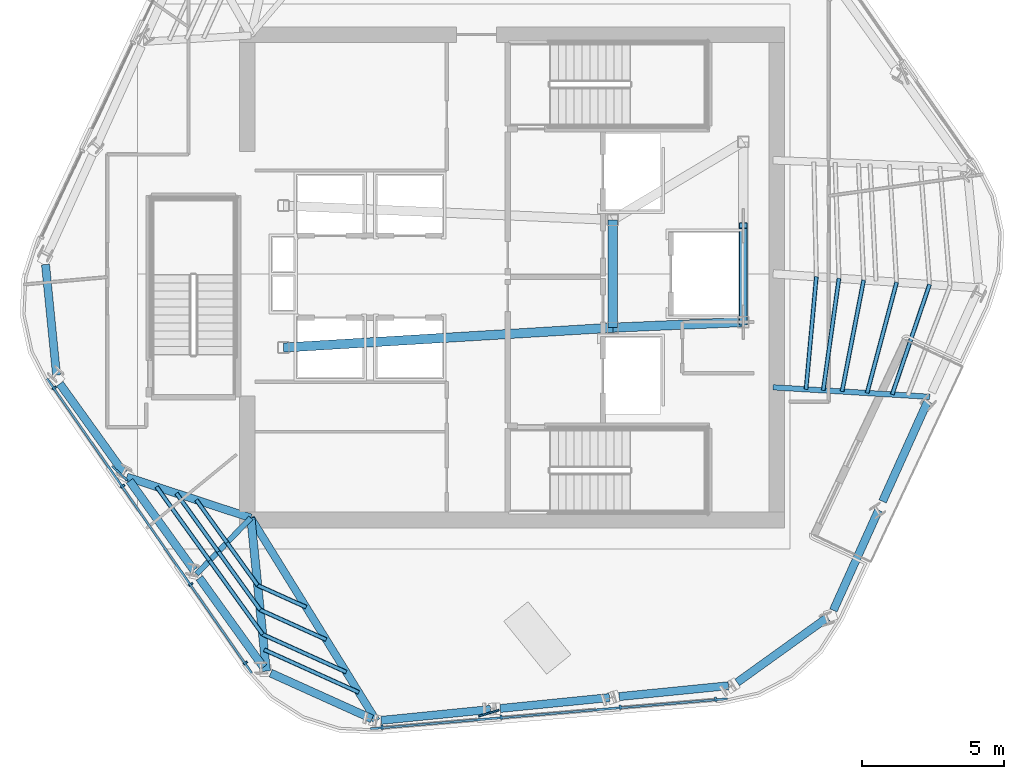
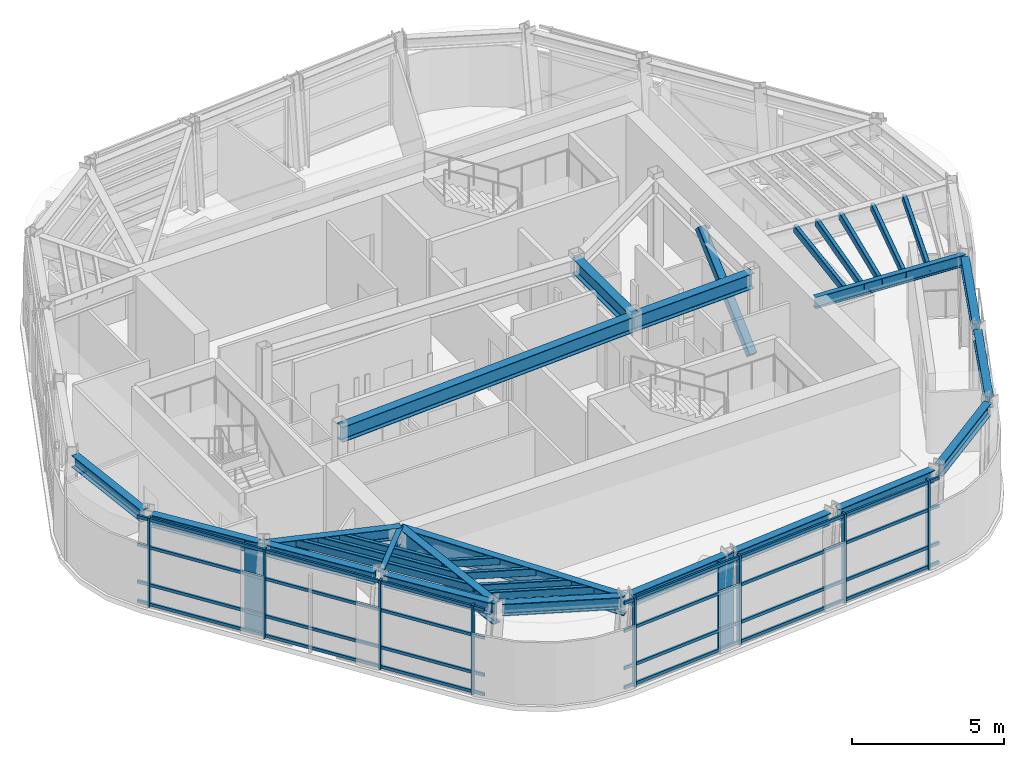
# One storey, part 2 of 14: 34 members, 19 beams, 2 elements without a shape of their own.
"""IFC4 building model written with IfcOpenShell, lengths in metres."""

from ifc_helpers import new_model, si_unit, direction, frame, origin, origin_2d, place, context, subcontext, project, spatial, rectangle, hollow_rectangle, i_section, extrude, material, layer, layer_set, material_profile, profile_set, type_object, element, aggregate, save


model = new_model("IFC4")

# Units and contexts
model_context = context("Model", 3, precision=1e-05, world=origin(), true_north=direction((0.0, 1.0)))
body_context = subcontext(model_context, "Body", "Model", "MODEL_VIEW")
ifc_project = project(units=[si_unit("LENGTHUNIT", "METRE"), si_unit("AREAUNIT", "SQUARE_METRE"), si_unit("VOLUMEUNIT", "CUBIC_METRE"), si_unit("PLANEANGLEUNIT", "RADIAN"), si_unit("MASSUNIT", "GRAM", prefix="KILO")], contexts=[model_context])

# Site, building, storey
site_placement = place(None, origin())
site = spatial("IfcSite", under=ifc_project, at=site_placement, CompositionType="ELEMENT")
building_placement = place(site_placement, origin())
building = spatial("IfcBuilding", under=site, at=building_placement, Name="Valkerne Bourse Tower", CompositionType="ELEMENT")
storey_placement = place(building_placement, frame((0.0, 0.0, 304.0)))
storey = spatial("IfcBuildingStorey", under=building, at=storey_placement, Name="L77", CompositionType="ELEMENT", Elevation=304.0)

# Beams
ifc_material_1 = material(Name="Steel ASTM A992", Category="steel")
ifc_material_profile_1 = material_profile(ifc_material_1, i_section(OverallWidth=0.284423828125, OverallDepth=0.47509765625, WebThickness=0.014892578125, FlangeThickness=0.02392578125, FilletRadius=0.017822265625, at=origin_2d()), Name="W18X106")
ifc_profile_set_1 = profile_set([ifc_material_profile_1], Name="Steel ASTM A992")
beam_type_1 = type_object("IfcBeamType", Name="BM-W18X106", PredefinedType="BEAM", material=ifc_profile_set_1)
beam_1_placement = place(storey_placement, frame((30.36474609375, 27.3271484375, 3.362548828125), z_axis=(0.099324690602, -0.995055076786, 0.0), x_axis=(0.995055076786, 0.099324690602, 0.0)))
element("IfcBeam", 1, at=beam_1_placement, inside=storey, type_object=beam_type_1, Name="L77 Hexagonal Spandrel Ring Beam 07", PredefinedType="BEAM", context=body_context, shape_type="SweptSolid", body=[
    extrude(i_section(OverallWidth=0.284423828125, OverallDepth=0.47509765625, WebThickness=0.014892578125, FlangeThickness=0.02392578125, FilletRadius=0.017822265625, at=origin_2d()), origin(), (0.0, 0.0, 1.0), 3.91552734375),
])
for number, where, z_axis, x_axis, name in (
    (2, (30.86962890625, 23.12353515625, 3.362548828125), (0.583561989094, -0.812068596169, 0.0), (0.812068596169, 0.583561989094, 0.0), "L77 Hexagonal Spandrel Ring Beam 08"),
    (3, (33.32763671875, 19.703125, 3.362548828125), (0.583561989094, -0.812068596169, 0.0), (0.812068596169, 0.583561989094, 0.0), "L77 Hexagonal Spandrel Ring Beam 09"),
):
    element("IfcBeam", number, at=place(storey_placement, frame(where, z_axis=z_axis, x_axis=x_axis)), inside=storey, type_object=beam_type_1, Name=name, PredefinedType="BEAM", context=body_context, shape_type="SweptSolid", body=[
        extrude(i_section(OverallWidth=0.284423828125, OverallDepth=0.47509765625, WebThickness=0.014892578125, FlangeThickness=0.02392578125, FilletRadius=0.017822265625, at=origin_2d()), origin(), (0.0, 0.0, 1.0), 3.871826171875),
    ])
beam_2_placement = place(storey_placement, frame((35.785400390625, 16.28271484375, 3.362548828125), z_axis=(0.583532109562, -0.812090067117, 0.0), x_axis=(0.812090067117, 0.583532109562, 0.0)))
element("IfcBeam", 4, at=beam_2_placement, inside=storey, type_object=beam_type_1, Name="L77 Hexagonal Spandrel Ring Beam 10", PredefinedType="BEAM", context=body_context, shape_type="SweptSolid", body=[
    extrude(i_section(OverallWidth=0.284423828125, OverallDepth=0.47509765625, WebThickness=0.014892578125, FlangeThickness=0.02392578125, FilletRadius=0.017822265625, at=origin_2d()), origin(), (0.0, 0.0, 1.0), 3.8720703125),
])
beam_3_placement = place(storey_placement, frame((38.299072265625, 12.93017578125, 3.362548828125), z_axis=(0.911409826012, -0.411499853036, 0.0), x_axis=(0.411499853036, 0.911409826012, 0.0)))
element("IfcBeam", 5, at=beam_3_placement, inside=storey, type_object=beam_type_1, Name="L77 Hexagonal Spandrel Ring Beam 11", PredefinedType="BEAM", context=body_context, shape_type="SweptSolid", body=[
    extrude(i_section(OverallWidth=0.284423828125, OverallDepth=0.47509765625, WebThickness=0.014892578125, FlangeThickness=0.02392578125, FilletRadius=0.017822265625, at=origin_2d()), origin(), (0.0, 0.0, 1.0), 3.915771484375),
])
for number, where, z_axis, x_axis, name in (
    (6, (42.19189453125, 11.265869140625, 3.362548828125), (0.995056524623, 0.099310184797, 0.0), (-0.099310184797, 0.995056524623, 0.0), "L77 Hexagonal Spandrel Ring Beam 12"),
    (7, (46.383056640625, 11.68408203125, 3.362548828125), (0.995056524623, 0.099310184797, 0.0), (-0.099310184797, 0.995056524623, 0.0), "L77 Hexagonal Spandrel Ring Beam 13"),
    (8, (50.57421875, 12.1025390625, 3.362548828125), (0.995056524623, 0.099310184797, 0.0), (-0.099310184797, 0.995056524623, 0.0), "L77 Hexagonal Spandrel Ring Beam 14"),
):
    element("IfcBeam", number, at=place(storey_placement, frame(where, z_axis=z_axis, x_axis=x_axis)), inside=storey, type_object=beam_type_1, Name=name, PredefinedType="BEAM", context=body_context, shape_type="SweptSolid", body=[
        extrude(i_section(OverallWidth=0.284423828125, OverallDepth=0.47509765625, WebThickness=0.014892578125, FlangeThickness=0.02392578125, FilletRadius=0.017822265625, at=origin_2d()), origin(), (0.0, 0.0, 1.0), 3.871826171875),
    ])
beam_4_placement = place(storey_placement, frame((54.734375, 12.60302734375, 3.362548828125), z_axis=(0.81204491925, 0.583594935825, 0.0), x_axis=(-0.583594935825, 0.81204491925, 0.0)))
element("IfcBeam", 9, at=beam_4_placement, inside=storey, type_object=beam_type_1, Name="L77 Hexagonal Spandrel Ring Beam 15", PredefinedType="BEAM", context=body_context, shape_type="SweptSolid", body=[
    extrude(i_section(OverallWidth=0.284423828125, OverallDepth=0.47509765625, WebThickness=0.014892578125, FlangeThickness=0.02392578125, FilletRadius=0.017822265625, at=origin_2d()), origin(), (0.0, 0.0, 1.0), 3.915771484375),
])
for number, where, z_axis, x_axis, name in (
    (10, (58.122314453125, 15.14208984375, 3.362548828125), (0.411478598919, 0.911419421908, 0.0), (-0.911419421908, 0.411478598919, 0.0), "L77 Hexagonal Spandrel Ring Beam 16"),
    (11, (59.85546875, 18.98095703125, 3.362548828125), (0.411478598919, 0.911419421908, 0.0), (-0.911419421908, 0.411478598919, 0.0), "L77 Hexagonal Spandrel Ring Beam 17"),
):
    element("IfcBeam", number, at=place(storey_placement, frame(where, z_axis=z_axis, x_axis=x_axis)), inside=storey, type_object=beam_type_1, Name=name, PredefinedType="BEAM", context=body_context, shape_type="SweptSolid", body=[
        extrude(i_section(OverallWidth=0.284423828125, OverallDepth=0.47509765625, WebThickness=0.014892578125, FlangeThickness=0.02392578125, FilletRadius=0.017822265625, at=origin_2d()), origin(), (0.0, 0.0, 1.0), 3.8720703125),
    ])
ifc_material_profile_2 = material_profile(ifc_material_1, i_section(OverallWidth=0.1904296875, OverallDepth=0.457275390625, WebThickness=0.009033203125, FlangeThickness=0.014404296875, FilletRadius=0.01513671875, at=origin_2d()), Name="W18X50")
ifc_profile_set_2 = profile_set([ifc_material_profile_2], Name="Steel ASTM A992")
beam_type_2 = type_object("IfcBeamType", Name="BM-W18X50", PredefinedType="JOIST", material=ifc_profile_set_2)
beam_5_placement = place(storey_placement, frame((35.686279296875, 16.420654296875, 3.371337890625), z_axis=(0.695124466047, 0.718889405057, 0.0), x_axis=(-0.718889405057, 0.695124466047, 0.0)))
element("IfcBeam", 12, at=beam_5_placement, inside=storey, type_object=beam_type_2, Name="L77 Radial Composite Floor Beam 10", PredefinedType="JOIST", context=body_context, shape_type="SweptSolid", body=[
    extrude(i_section(OverallWidth=0.1904296875, OverallDepth=0.457275390625, WebThickness=0.009033203125, FlangeThickness=0.014404296875, FilletRadius=0.01513671875, at=origin_2d()), origin(), (0.0, 0.0, 1.0), 2.753173828125),
])
beam_6_placement = place(storey_placement, frame((61.518798828125, 22.664794921875, 3.371337890625), z_axis=(-0.998160488809, 0.060627044952, 0.0), x_axis=(-0.060627044952, -0.998160488809, 0.0)))
element("IfcBeam", 13, at=beam_6_placement, inside=storey, type_object=beam_type_2, Name="L77 Radial Composite Floor Beam 18", PredefinedType="JOIST", context=body_context, shape_type="SweptSolid", body=[
    extrude(i_section(OverallWidth=0.1904296875, OverallDepth=0.457275390625, WebThickness=0.009033203125, FlangeThickness=0.014404296875, FilletRadius=0.01513671875, at=origin_2d()), origin(), (0.0, 0.0, 1.0), 5.529052734375),
])
ifc_material_profile_3 = material_profile(ifc_material_1, i_section(OverallWidth=0.279296875, OverallDepth=0.46240234375, WebThickness=0.0107421875, FlangeThickness=0.017333984375, FilletRadius=0.017822265625, at=origin_2d()), Name="W18X76")
ifc_profile_set_3 = profile_set([ifc_material_profile_3], Name="Steel ASTM A992")
beam_type_3 = type_object("IfcBeamType", Name="BM-W18X76", PredefinedType="BEAM", material=ifc_profile_set_3)
beam_7_placement = place(storey_placement, frame((33.228515625, 19.84130859375, 3.368896484375), z_axis=(0.949707222762, -0.313139251825, 0.0), x_axis=(0.313139251825, 0.949707222762, 0.0)))
element("IfcBeam", 14, at=beam_7_placement, inside=storey, type_object=beam_type_3, Name="L77 Radial Composite Floor Beam 09", PredefinedType="BEAM", context=body_context, shape_type="SweptSolid", body=[
    extrude(i_section(OverallWidth=0.279296875, OverallDepth=0.46240234375, WebThickness=0.0107421875, FlangeThickness=0.017333984375, FilletRadius=0.017822265625, at=origin_2d()), origin(), (0.0, 0.0, 1.0), 4.60302734375),
])
ifc_material_profile_4 = material_profile(ifc_material_1, i_section(OverallWidth=0.3251953125, OverallDepth=0.612060546875, WebThickness=0.0126953125, FlangeThickness=0.01904296875, FilletRadius=0.020263671875, at=origin_2d()), Name="W24X104")
ifc_profile_set_4 = profile_set([ifc_material_profile_4], Name="Steel ASTM A992")
beam_type_4 = type_object("IfcBeamType", Name="BM-W24X104", PredefinedType="BEAM", material=ifc_profile_set_4)
beam_8_placement = place(storey_placement, frame((50.35009765625, 25.10009765625, 3.2939453125), z_axis=(0.0, 1.0, 0.0), x_axis=(-1.0, 0.0, 0.0)))
element("IfcBeam", 15, at=beam_8_placement, inside=storey, type_object=beam_type_4, Name="L77 Core Frame Girder CG-CE", PredefinedType="BEAM", context=body_context, shape_type="SweptSolid", body=[
    extrude(i_section(OverallWidth=0.3251953125, OverallDepth=0.612060546875, WebThickness=0.0126953125, FlangeThickness=0.01904296875, FilletRadius=0.020263671875, at=origin_2d()), origin(), (0.0, 0.0, 1.0), 3.7998046875),
])
beam_9_placement = place(storey_placement, frame((50.35009765625, 25.10009765625, 3.2939453125), z_axis=(0.999056558506, 0.043428019819, 0.0), x_axis=(-0.043428019819, 0.999056558506, 0.0)))
element("IfcBeam", 16, at=beam_9_placement, inside=storey, type_object=beam_type_4, Name="L77 Core Frame Girder CG-SE", PredefinedType="BEAM", context=body_context, shape_type="SweptSolid", body=[
    extrude(i_section(OverallWidth=0.3251953125, OverallDepth=0.612060546875, WebThickness=0.0126953125, FlangeThickness=0.01904296875, FilletRadius=0.020263671875, at=origin_2d()), origin(), (0.0, 0.0, 1.0), 4.604248046875),
])
beam_10_placement = place(storey_placement, frame((38.75, 24.39990234375, 3.2939453125), z_axis=(0.998183228389, 0.060251494276, 0.0), x_axis=(-0.060251494276, 0.998183228389, 0.0)))
element("IfcBeam", 17, at=beam_10_placement, inside=storey, type_object=beam_type_4, Name="L77 Core Frame Girder CG-SW", PredefinedType="BEAM", context=body_context, shape_type="SweptSolid", body=[
    extrude(i_section(OverallWidth=0.3251953125, OverallDepth=0.612060546875, WebThickness=0.0126953125, FlangeThickness=0.01904296875, FilletRadius=0.020263671875, at=origin_2d()), origin(), (0.0, 0.0, 1.0), 11.62109375),
])
ifc_material_profile_5 = material_profile(ifc_material_1, i_section(OverallWidth=0.26806640625, OverallDepth=0.76953125, WebThickness=0.015625, FlangeThickness=0.025390625, FilletRadius=0.025390625, at=origin_2d()), Name="W30X132")
ifc_profile_set_5 = profile_set([ifc_material_profile_5], Name="Steel ASTM A992")
beam_type_5 = type_object("IfcBeamType", Name="BM-W30X132", PredefinedType="BEAM", material=ifc_profile_set_5)
beam_11_placement = place(storey_placement, frame((42.022705078125, 11.248779296875, 3.215087890625), z_axis=(-0.525986712856, 0.85049278533, 0.0), x_axis=(-0.85049278533, -0.525986712856, 0.0)))
element("IfcBeam", 18, at=beam_11_placement, inside=storey, type_object=beam_type_5, Name="L77 Radial Composite Floor Beam 12", PredefinedType="BEAM", context=body_context, shape_type="SweptSolid", body=[
    extrude(i_section(OverallWidth=0.26806640625, OverallDepth=0.76953125, WebThickness=0.015625, FlangeThickness=0.025390625, FilletRadius=0.025390625, at=origin_2d()), origin(), (0.0, 0.0, 1.0), 8.408203125),
])
ifc_material_profile_6 = material_profile(ifc_material_1, i_section(OverallWidth=0.2919921875, OverallDepth=0.8583984375, WebThickness=0.01708984375, FlangeThickness=0.031005859375, FilletRadius=0.025390625, at=origin_2d()), Name="W33X169")
ifc_profile_set_6 = profile_set([ifc_material_profile_6], Name="Steel ASTM A992")
beam_type_6 = type_object("IfcBeamType", Name="BM-W33X169", PredefinedType="BEAM", material=ifc_profile_set_6)
beam_12_placement = place(storey_placement, frame((38.144287109375, 13.000244140625, 3.170654296875), z_axis=(-0.100274244927, 0.994959836277, 0.0), x_axis=(-0.994959836277, -0.100274244927, 0.0)))
element("IfcBeam", 19, at=beam_12_placement, inside=storey, type_object=beam_type_6, Name="L77 Radial Composite Floor Beam 11", PredefinedType="BEAM", context=body_context, shape_type="SweptSolid", body=[
    extrude(i_section(OverallWidth=0.2919921875, OverallDepth=0.8583984375, WebThickness=0.01708984375, FlangeThickness=0.031005859375, FilletRadius=0.025390625, at=origin_2d()), origin(), (0.0, 0.0, 1.0), 5.427001953125),
])

# Curtain wall, members
ifc_material_2 = material(Name="Aluminium AA 6063-T6", Category="aluminium")
ifc_layer = layer(ifc_material_2, 0.2451171875)
ifc_layer_set = layer_set([ifc_layer], Name="Aluminium AA 6063-T6")
curtain_wall_type = type_object("IfcCurtainWallType", Name="CW-05", PredefinedType="NOTDEFINED", material=ifc_layer_set)
curtain_wall_1_placement = place(storey_placement, origin())
curtain_wall_1 = element("IfcCurtainWall", 20, at=curtain_wall_1_placement, inside=storey, type_object=curtain_wall_type, Name="L77 Hexagonal Stick Curtain Wall Face 3", PredefinedType="NOTDEFINED")
ifc_material_profile_7 = material_profile(ifc_material_2, rectangle(XDim=0.074951171875, YDim=0.159912109375, at=origin_2d()), Name="CWM-75X160")
ifc_profile_set_7 = profile_set([ifc_material_profile_7], Name="Aluminium AA 6063-T6")
member_type_1 = type_object("IfcMemberType", Name="CW-MUL-160X75", PredefinedType="MULLION", material=ifc_profile_set_7)
member_1_placement = place(storey_placement, frame((30.67431640625, 22.97509765625, 0.0), z_axis=(0.0, 0.0, 1.0), x_axis=(0.57070410304, -0.821155787152, 0.0)))
member_1 = element("IfcMember", 21, at=member_1_placement, type_object=member_type_1, Name="CW-L77-F3 Jamb Mullion 00A", PredefinedType="MULLION", context=body_context, shape_type="SweptSolid", body=[
    extrude(rectangle(XDim=0.074951171875, YDim=0.159912109375, at=origin_2d()), origin(), (0.0, 0.0, 1.0), 3.60009765625),
])
member_2_placement = place(storey_placement, frame((33.078125, 19.516357421875, 0.0), z_axis=(0.0, 0.0, 1.0), x_axis=(0.57072011169, -0.821144660893, 0.0)))
member_2 = element("IfcMember", 22, at=member_2_placement, type_object=member_type_1, Name="CW-L77-F3 Jamb Mullion 01A", PredefinedType="MULLION", context=body_context, shape_type="SweptSolid", body=[
    extrude(rectangle(XDim=0.074951171875, YDim=0.159912109375, at=origin_2d()), origin(), (0.0, 0.0, 1.0), 3.60009765625),
])
member_3_placement = place(storey_placement, frame((35.48193359375, 16.0576171875, 0.0), z_axis=(0.0, 0.0, 1.0), x_axis=(0.57070410304, -0.821155787152, 0.0)))
member_3 = element("IfcMember", 23, at=member_3_placement, type_object=member_type_1, Name="CW-L77-F3 Jamb Mullion 02A", PredefinedType="MULLION", context=body_context, shape_type="SweptSolid", body=[
    extrude(rectangle(XDim=0.074951171875, YDim=0.159912109375, at=origin_2d()), origin(), (0.0, 0.0, 1.0), 3.60009765625),
])
member_4_placement = place(storey_placement, frame((37.406494140625, 13.28857421875, 0.0), z_axis=(0.0, 0.0, 1.0), x_axis=(0.57070410304, -0.821155787152, 0.0)))
member_4 = element("IfcMember", 24, at=member_4_placement, type_object=member_type_1, Name="CW-L77-F3 Jamb Mullion 02B", PredefinedType="MULLION", context=body_context, shape_type="SweptSolid", body=[
    extrude(rectangle(XDim=0.074951171875, YDim=0.159912109375, at=origin_2d()), origin(), (0.0, 0.0, 1.0), 3.60009765625),
])

curtain_wall_2_placement = place(storey_placement, origin())
curtain_wall_2 = element("IfcCurtainWall", 25, at=curtain_wall_2_placement, inside=storey, type_object=curtain_wall_type, Name="L77 Hexagonal Stick Curtain Wall Face 4", PredefinedType="NOTDEFINED")
member_5_placement = place(storey_placement, frame((42.222900390625, 11.022216796875, 0.0), z_axis=(0.0, 0.0, 1.0), x_axis=(0.996493823918, 0.083666354605, 0.0)))
member_5 = element("IfcMember", 26, at=member_5_placement, type_object=member_type_1, Name="CW-L77-F4 Jamb Mullion 00A", PredefinedType="MULLION", context=body_context, shape_type="SweptSolid", body=[
    extrude(rectangle(XDim=0.074951171875, YDim=0.159912109375, at=origin_2d()), origin(), (0.0, 0.0, 1.0), 3.60009765625),
])
member_6_placement = place(storey_placement, frame((46.420166015625, 11.37451171875, 0.0), z_axis=(0.0, 0.0, 1.0), x_axis=(0.996491844212, 0.083689930214, 0.0)))
member_6 = element("IfcMember", 27, at=member_6_placement, type_object=member_type_1, Name="CW-L77-F4 Jamb Mullion 01A", PredefinedType="MULLION", context=body_context, shape_type="SweptSolid", body=[
    extrude(rectangle(XDim=0.074951171875, YDim=0.159912109375, at=origin_2d()), origin(), (0.0, 0.0, 1.0), 3.60009765625),
])
member_7_placement = place(storey_placement, frame((50.617431640625, 11.72705078125, 0.0), z_axis=(0.0, 0.0, 1.0), x_axis=(0.996493823918, 0.083666354605, 0.0)))
member_7 = element("IfcMember", 28, at=member_7_placement, type_object=member_type_1, Name="CW-L77-F4 Jamb Mullion 02A", PredefinedType="MULLION", context=body_context, shape_type="SweptSolid", body=[
    extrude(rectangle(XDim=0.074951171875, YDim=0.159912109375, at=origin_2d()), origin(), (0.0, 0.0, 1.0), 3.60009765625),
])
member_8_placement = place(storey_placement, frame((53.9775390625, 12.00927734375, 0.0), z_axis=(0.0, 0.0, 1.0), x_axis=(0.996493823918, 0.083666354605, 0.0)))
member_8 = element("IfcMember", 29, at=member_8_placement, type_object=member_type_1, Name="CW-L77-F4 Jamb Mullion 02B", PredefinedType="MULLION", context=body_context, shape_type="SweptSolid", body=[
    extrude(rectangle(XDim=0.074951171875, YDim=0.159912109375, at=origin_2d()), origin(), (0.0, 0.0, 1.0), 3.60009765625),
])

# Member
ifc_material_profile_8 = material_profile(ifc_material_2, rectangle(XDim=0.074951171875, YDim=0.1201171875, at=origin_2d()), Name="CWT-75X120")
ifc_profile_set_8 = profile_set([ifc_material_profile_8], Name="Aluminium AA 6063-T6")
member_type_2 = type_object("IfcMemberType", Name="CW-TRN-120X75", PredefinedType="USERDEFINED", material=ifc_profile_set_8)
member_9_placement = place(storey_placement, frame((30.418212890625, 23.308349609375, 0.1201171875), z_axis=(0.570710056825, -0.821151649233, 0.0), x_axis=(0.821151649233, 0.570710056825, 0.0)))
member_9 = element("IfcMember", 30, at=member_9_placement, type_object=member_type_2, Name="CW-L77-F3 Continuous Face Transom 1", ObjectType="TRANSOM", PredefinedType="USERDEFINED", context=body_context, shape_type="SweptSolid", body=[
    extrude(rectangle(XDim=0.074951171875, YDim=0.1201171875, at=origin_2d()), origin(), (0.0, 0.0, 1.0), 12.635986328125),
])

member_10_placement = place(storey_placement, frame((30.418212890625, 23.308349609375, 0.89990234375), z_axis=(0.570710056825, -0.821151649233, 0.0), x_axis=(0.821151649233, 0.570710056825, 0.0)))
member_10 = element("IfcMember", 31, at=member_10_placement, type_object=member_type_2, Name="CW-L77-F3 Continuous Face Transom 2", ObjectType="TRANSOM", PredefinedType="USERDEFINED", context=body_context, shape_type="SweptSolid", body=[
    extrude(rectangle(XDim=0.074951171875, YDim=0.1201171875, at=origin_2d()), origin(), (0.0, 0.0, 1.0), 12.635986328125),
])

member_11_placement = place(storey_placement, frame((30.418212890625, 23.308349609375, 2.39990234375), z_axis=(0.570710056825, -0.821151649233, 0.0), x_axis=(0.821151649233, 0.570710056825, 0.0)))
member_11 = element("IfcMember", 32, at=member_11_placement, type_object=member_type_2, Name="CW-L77-F3 Continuous Face Transom 3", ObjectType="TRANSOM", PredefinedType="USERDEFINED", context=body_context, shape_type="SweptSolid", body=[
    extrude(rectangle(XDim=0.074951171875, YDim=0.1201171875, at=origin_2d()), origin(), (0.0, 0.0, 1.0), 12.635986328125),
])

member_12_placement = place(storey_placement, frame((30.418212890625, 23.308349609375, 3.52001953125), z_axis=(0.570710056825, -0.821151649233, 0.0), x_axis=(0.821151649233, 0.570710056825, 0.0)))
member_12 = element("IfcMember", 33, at=member_12_placement, type_object=member_type_2, Name="CW-L77-F3 Continuous Face Transom 4", ObjectType="TRANSOM", PredefinedType="USERDEFINED", context=body_context, shape_type="SweptSolid", body=[
    extrude(rectangle(XDim=0.074951171875, YDim=0.1201171875, at=origin_2d()), origin(), (0.0, 0.0, 1.0), 12.635986328125),
])

aggregate(curtain_wall_1, [member_9, member_10, member_11, member_12, member_1, member_2, member_3, member_4])

member_13_placement = place(storey_placement, frame((41.80615234375, 10.96728515625, 0.1201171875), z_axis=(0.996494266806, 0.083661079501, 0.0), x_axis=(-0.083661079501, 0.996494266806, 0.0)))
member_13 = element("IfcMember", 34, at=member_13_placement, type_object=member_type_2, Name="CW-L77-F4 Continuous Face Transom 1", ObjectType="TRANSOM", PredefinedType="USERDEFINED", context=body_context, shape_type="SweptSolid", body=[
    extrude(rectangle(XDim=0.074951171875, YDim=0.1201171875, at=origin_2d()), origin(), (0.0, 0.0, 1.0), 12.6357421875),
])

member_14_placement = place(storey_placement, frame((41.80615234375, 10.96728515625, 0.89990234375), z_axis=(0.996494266806, 0.083661079501, 0.0), x_axis=(-0.083661079501, 0.996494266806, 0.0)))
member_14 = element("IfcMember", 35, at=member_14_placement, type_object=member_type_2, Name="CW-L77-F4 Continuous Face Transom 2", ObjectType="TRANSOM", PredefinedType="USERDEFINED", context=body_context, shape_type="SweptSolid", body=[
    extrude(rectangle(XDim=0.074951171875, YDim=0.1201171875, at=origin_2d()), origin(), (0.0, 0.0, 1.0), 12.6357421875),
])

member_15_placement = place(storey_placement, frame((41.80615234375, 10.96728515625, 2.39990234375), z_axis=(0.996494266806, 0.083661079501, 0.0), x_axis=(-0.083661079501, 0.996494266806, 0.0)))
member_15 = element("IfcMember", 36, at=member_15_placement, type_object=member_type_2, Name="CW-L77-F4 Continuous Face Transom 3", ObjectType="TRANSOM", PredefinedType="USERDEFINED", context=body_context, shape_type="SweptSolid", body=[
    extrude(rectangle(XDim=0.074951171875, YDim=0.1201171875, at=origin_2d()), origin(), (0.0, 0.0, 1.0), 12.6357421875),
])

member_16_placement = place(storey_placement, frame((41.80615234375, 10.96728515625, 3.52001953125), z_axis=(0.996494266806, 0.083661079501, 0.0), x_axis=(-0.083661079501, 0.996494266806, 0.0)))
member_16 = element("IfcMember", 37, at=member_16_placement, type_object=member_type_2, Name="CW-L77-F4 Continuous Face Transom 4", ObjectType="TRANSOM", PredefinedType="USERDEFINED", context=body_context, shape_type="SweptSolid", body=[
    extrude(rectangle(XDim=0.074951171875, YDim=0.1201171875, at=origin_2d()), origin(), (0.0, 0.0, 1.0), 12.6357421875),
])

aggregate(curtain_wall_2, [member_13, member_14, member_15, member_16, member_5, member_6, member_7, member_8])

# Members
ifc_material_3 = material(Name="Bronze Anodised Aluminium AA 6063-T6", Category="aluminium")
ifc_material_profile_9 = material_profile(ifc_material_3, rectangle(XDim=0.06494140625, YDim=0.75, at=origin_2d()), Name="FIN-65X750")
ifc_profile_set_9 = profile_set([ifc_material_profile_9], Name="Bronze Anodised Aluminium AA 6063-T6")
member_type_3 = type_object("IfcMemberType", Name="FIN-SOLAR-650", PredefinedType="USERDEFINED", material=ifc_profile_set_9)
for number, where, z_axis, x_axis, name in (
    (38, (32.986083984375, 19.9638671875, 0.00390625), (0.0, 0.0, 1.0), (-0.682491514513, -0.730893516607, 0.0), "L77 Bronze Anodised Solar Fin F3-01"),
    (39, (45.986572265625, 11.518798828125, 0.00390625), (0.0, 0.0, 1.0), (0.290504247611, -0.956873702283, 0.0), "L77 Bronze Anodised Solar Fin F4-01"),
):
    element("IfcMember", number, at=place(storey_placement, frame(where, z_axis=z_axis, x_axis=x_axis)), inside=storey, type_object=member_type_3, Name=name, ObjectType="SOLAR_FIN", PredefinedType="USERDEFINED", context=body_context, shape_type="SweptSolid", body=[
        extrude(rectangle(XDim=0.06494140625, YDim=0.75, at=origin_2d()), origin(), (0.0, 0.0, 1.0), 3.592041015625),
    ])
ifc_material_4 = material(Name="Steel ASTM A500 Grade C", Category="steel")
ifc_material_profile_10 = material_profile(ifc_material_4, hollow_rectangle(XDim=0.14990234375, YDim=0.300048828125, WallThickness=0.012451171875, OuterFilletRadius=0.02490234375, at=origin_2d()), Name="HSS300X150X12.5")
ifc_profile_set_10 = profile_set([ifc_material_profile_10], Name="Steel ASTM A500 Grade C")
member_type_4 = type_object("IfcMemberType", Name="MBR-HSS300X150X12.5", PredefinedType="PURLIN", material=ifc_profile_set_10)
member_17_placement = place(storey_placement, frame((57.76611328125, 22.892822265625, 3.43994140625), z_axis=(0.13911504277, 0.990276226552, 0.0), x_axis=(-0.990276226552, 0.13911504277, 0.0)))
element("IfcMember", 40, at=member_17_placement, inside=storey, type_object=member_type_4, Name="L77 Secondary Composite Floor Purlin I-18", PredefinedType="PURLIN", context=body_context, shape_type="SweptSolid", body=[
    extrude(hollow_rectangle(XDim=0.14990234375, YDim=0.300048828125, WallThickness=0.012451171875, OuterFilletRadius=0.02490234375, at=origin_2d()), origin(), (0.0, 0.0, 1.0), 3.9873046875),
])
member_18_placement = place(storey_placement, frame((35.676513671875, 19.0341796875, 3.43994140625), z_axis=(0.583541046205, -0.812083645565, 0.0), x_axis=(0.812083645565, 0.583541046205, 0.0)))
element("IfcMember", 41, at=member_18_placement, inside=storey, type_object=member_type_4, Name="L77 Secondary Composite Floor Purlin K-09", PredefinedType="PURLIN", context=body_context, shape_type="SweptSolid", body=[
    extrude(hollow_rectangle(XDim=0.14990234375, YDim=0.300048828125, WallThickness=0.012451171875, OuterFilletRadius=0.02490234375, at=origin_2d()), origin(), (0.0, 0.0, 1.0), 1.853515625),
])
member_19_placement = place(storey_placement, frame((36.758056640625, 17.529052734375, 3.43994140625), z_axis=(0.58351659388, -0.812101215777, 0.0), x_axis=(0.812101215777, 0.58351659388, 0.0)))
element("IfcMember", 42, at=member_19_placement, inside=storey, type_object=member_type_4, Name="L77 Secondary Composite Floor Purlin K-10", PredefinedType="PURLIN", context=body_context, shape_type="SweptSolid", body=[
    extrude(hollow_rectangle(XDim=0.14990234375, YDim=0.300048828125, WallThickness=0.012451171875, OuterFilletRadius=0.02490234375, at=origin_2d()), origin(), (0.0, 0.0, 1.0), 1.85302734375),
])
member_20_placement = place(storey_placement, frame((37.83935546875, 16.024169921875, 3.43994140625), z_axis=(0.911359555867, -0.411611175661, 0.0), x_axis=(0.411611175661, 0.911359555867, 0.0)))
element("IfcMember", 43, at=member_20_placement, inside=storey, type_object=member_type_4, Name="L77 Secondary Composite Floor Purlin K-11", PredefinedType="PURLIN", context=body_context, shape_type="SweptSolid", body=[
    extrude(hollow_rectangle(XDim=0.14990234375, YDim=0.300048828125, WallThickness=0.012451171875, OuterFilletRadius=0.02490234375, at=origin_2d()), origin(), (0.0, 0.0, 1.0), 1.87255859375),
])
member_21_placement = place(storey_placement, frame((58.42822265625, 22.8525390625, 3.43994140625), z_axis=(0.190564331866, 0.981674709576, 0.0), x_axis=(-0.981674709576, 0.190564331866, 0.0)))
element("IfcMember", 44, at=member_21_placement, inside=storey, type_object=member_type_4, Name="L77 Secondary Composite Floor Purlin K-18", PredefinedType="PURLIN", context=body_context, shape_type="SweptSolid", body=[
    extrude(hollow_rectangle(XDim=0.14990234375, YDim=0.300048828125, WallThickness=0.012451171875, OuterFilletRadius=0.02490234375, at=origin_2d()), origin(), (0.0, 0.0, 1.0), 4.002197265625),
])
for number, where, z_axis, x_axis, name in (
    (45, (34.277587890625, 19.495361328125, 3.43994140625), (0.583522893487, -0.812096689303, 0.0), (0.812096689303, 0.583522893487, 0.0), "L77 Secondary Composite Floor Purlin O-09"),
    (46, (36.1455078125, 16.895751953125, 3.43994140625), (0.583573188646, -0.812060547923, 0.0), (0.812060547923, 0.583573188646, 0.0), "L77 Secondary Composite Floor Purlin O-10"),
):
    element("IfcMember", number, at=place(storey_placement, frame(where, z_axis=z_axis, x_axis=x_axis)), inside=storey, type_object=member_type_4, Name=name, PredefinedType="PURLIN", context=body_context, shape_type="SweptSolid", body=[
        extrude(hollow_rectangle(XDim=0.14990234375, YDim=0.300048828125, WallThickness=0.012451171875, OuterFilletRadius=0.02490234375, at=origin_2d()), origin(), (0.0, 0.0, 1.0), 3.201171875),
    ])
member_22_placement = place(storey_placement, frame((38.013671875, 14.296142578125, 3.43994140625), z_axis=(0.911379733809, -0.411566496209, 0.0), x_axis=(0.411566496209, 0.911379733809, 0.0)))
element("IfcMember", 47, at=member_22_placement, inside=storey, type_object=member_type_4, Name="L77 Secondary Composite Floor Purlin O-11", PredefinedType="PURLIN", context=body_context, shape_type="SweptSolid", body=[
    extrude(hollow_rectangle(XDim=0.14990234375, YDim=0.300048828125, WallThickness=0.012451171875, OuterFilletRadius=0.02490234375, at=origin_2d()), origin(), (0.0, 0.0, 1.0), 3.234130859375),
])
member_23_placement = place(storey_placement, frame((60.1943359375, 22.745361328125, 3.43994140625), z_axis=(0.321695379309, 0.946843219826, 0.0), x_axis=(-0.946843219826, 0.321695379309, 0.0)))
element("IfcMember", 48, at=member_23_placement, inside=storey, type_object=member_type_4, Name="L77 Secondary Composite Floor Purlin O-18", PredefinedType="PURLIN", context=body_context, shape_type="SweptSolid", body=[
    extrude(hollow_rectangle(XDim=0.14990234375, YDim=0.300048828125, WallThickness=0.012451171875, OuterFilletRadius=0.02490234375, at=origin_2d()), origin(), (0.0, 0.0, 1.0), 4.09521484375),
])
member_24_placement = place(storey_placement, frame((34.97705078125, 19.2646484375, 3.43994140625), z_axis=(0.583584292644, -0.812052568113, 0.0), x_axis=(0.812052568113, 0.583584292644, 0.0)))
element("IfcMember", 49, at=member_24_placement, inside=storey, type_object=member_type_4, Name="L77 Secondary Composite Floor Purlin Z-09", PredefinedType="PURLIN", context=body_context, shape_type="SweptSolid", body=[
    extrude(hollow_rectangle(XDim=0.14990234375, YDim=0.300048828125, WallThickness=0.012451171875, OuterFilletRadius=0.02490234375, at=origin_2d()), origin(), (0.0, 0.0, 1.0), 2.52734375),
])
member_25_placement = place(storey_placement, frame((36.451904296875, 17.21240234375, 3.43994140625), z_axis=(0.583520583793, -0.812098348902, 0.0), x_axis=(0.812098348902, 0.583520583793, 0.0)))
element("IfcMember", 50, at=member_25_placement, inside=storey, type_object=member_type_4, Name="L77 Secondary Composite Floor Purlin Z-10", PredefinedType="PURLIN", context=body_context, shape_type="SweptSolid", body=[
    extrude(hollow_rectangle(XDim=0.14990234375, YDim=0.300048828125, WallThickness=0.012451171875, OuterFilletRadius=0.02490234375, at=origin_2d()), origin(), (0.0, 0.0, 1.0), 2.527099609375),
])
member_26_placement = place(storey_placement, frame((37.926513671875, 15.16015625, 3.43994140625), z_axis=(0.911398364659, -0.411525237253, 0.0), x_axis=(0.411525237253, 0.911398364659, 0.0)))
element("IfcMember", 51, at=member_26_placement, inside=storey, type_object=member_type_4, Name="L77 Secondary Composite Floor Purlin Z-11", PredefinedType="PURLIN", context=body_context, shape_type="SweptSolid", body=[
    extrude(hollow_rectangle(XDim=0.14990234375, YDim=0.300048828125, WallThickness=0.012451171875, OuterFilletRadius=0.02490234375, at=origin_2d()), origin(), (0.0, 0.0, 1.0), 2.553466796875),
])
member_27_placement = place(storey_placement, frame((59.311279296875, 22.798828125, 3.43994140625), z_axis=(0.257467035937, 0.966287082293, 0.0), x_axis=(-0.966287082293, 0.257467035937, 0.0)))
element("IfcMember", 52, at=member_27_placement, inside=storey, type_object=member_type_4, Name="L77 Secondary Composite Floor Purlin Z-18", PredefinedType="PURLIN", context=body_context, shape_type="SweptSolid", body=[
    extrude(hollow_rectangle(XDim=0.14990234375, YDim=0.300048828125, WallThickness=0.012451171875, OuterFilletRadius=0.02490234375, at=origin_2d()), origin(), (0.0, 0.0, 1.0), 4.03955078125),
])
member_28_placement = place(storey_placement, frame((57.158935546875, 22.9296875, 3.43994140625), z_axis=(0.091397928277, 0.995814449939, 0.0), x_axis=(-0.995814449939, 0.091397928277, 0.0)))
element("IfcMember", 53, at=member_28_placement, inside=storey, type_object=member_type_4, Name="L77 Secondary Composite Floor Purlin S-18", PredefinedType="PURLIN", context=body_context, shape_type="SweptSolid", body=[
    extrude(hollow_rectangle(XDim=0.14990234375, YDim=0.300048828125, WallThickness=0.012451171875, OuterFilletRadius=0.02490234375, at=origin_2d()), origin(), (0.0, 0.0, 1.0), 3.982666015625),
])
member_29_placement = place(storey_placement, frame((38.068115234375, 13.756103515625, 3.43994140625), z_axis=(0.911394007276, -0.411534887344, 0.0), x_axis=(0.411534887344, 0.911394007276, 0.0)))
element("IfcMember", 54, at=member_29_placement, inside=storey, type_object=member_type_4, Name="L77 Secondary Composite Floor Purlin T-11", PredefinedType="PURLIN", context=body_context, shape_type="SweptSolid", body=[
    extrude(hollow_rectangle(XDim=0.14990234375, YDim=0.300048828125, WallThickness=0.012451171875, OuterFilletRadius=0.02490234375, at=origin_2d()), origin(), (0.0, 0.0, 1.0), 3.65966796875),
])
ifc_material_profile_11 = material_profile(ifc_material_4, hollow_rectangle(XDim=0.300048828125, YDim=0.300048828125, WallThickness=0.012451171875, OuterFilletRadius=0.02490234375, at=origin_2d()), Name="HSS300X300X12.5")
ifc_profile_set_11 = profile_set([ifc_material_profile_11], Name="Steel ASTM A500 Grade C")
member_type_5 = type_object("IfcMemberType", Name="MBR-HSS300X300X12.5", PredefinedType="STRUT", material=ifc_profile_set_11)
member_30_placement = place(storey_placement, frame((54.949951171875, 25.300048828125, 0.219970703125), z_axis=(0.0, 0.741766660352, 0.670658051163), x_axis=(-1.0, 0.0, 0.0)))
element("IfcMember", 55, at=member_30_placement, inside=storey, type_object=member_type_5, Name="L77 Core Service Pier Lateral Brace", PredefinedType="STRUT", context=body_context, shape_type="SweptSolid", body=[
    extrude(hollow_rectangle(XDim=0.300048828125, YDim=0.300048828125, WallThickness=0.012451171875, OuterFilletRadius=0.02490234375, at=origin_2d()), origin(), (0.0, 0.0, 1.0), 4.58349609375),
])

save(model, "model.ifc")
